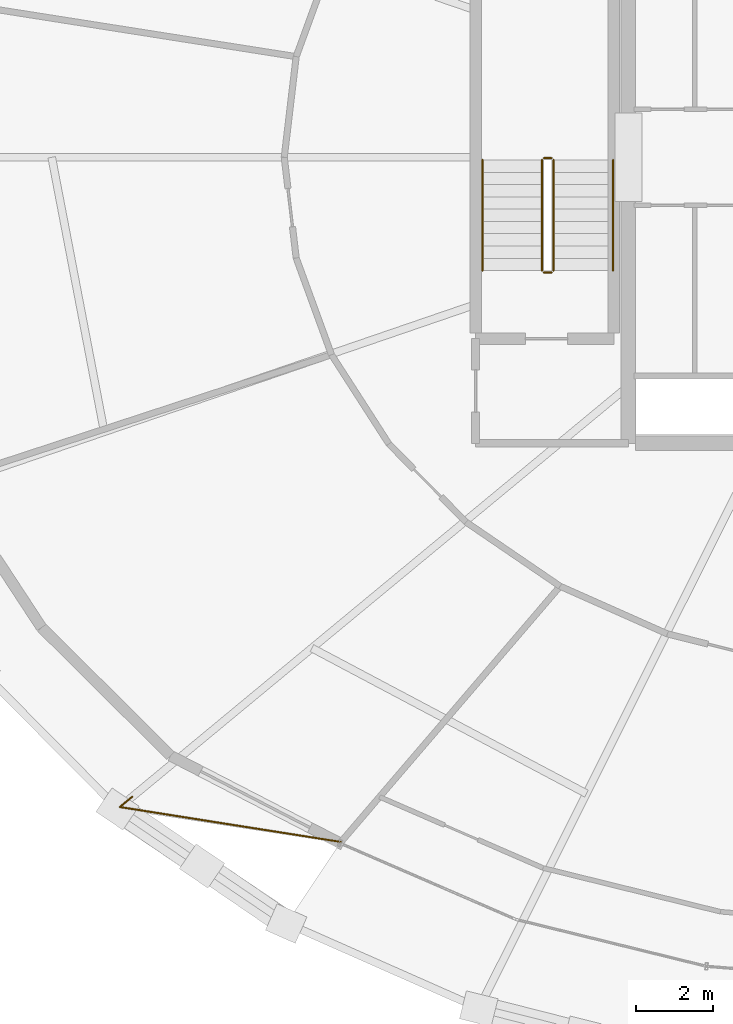
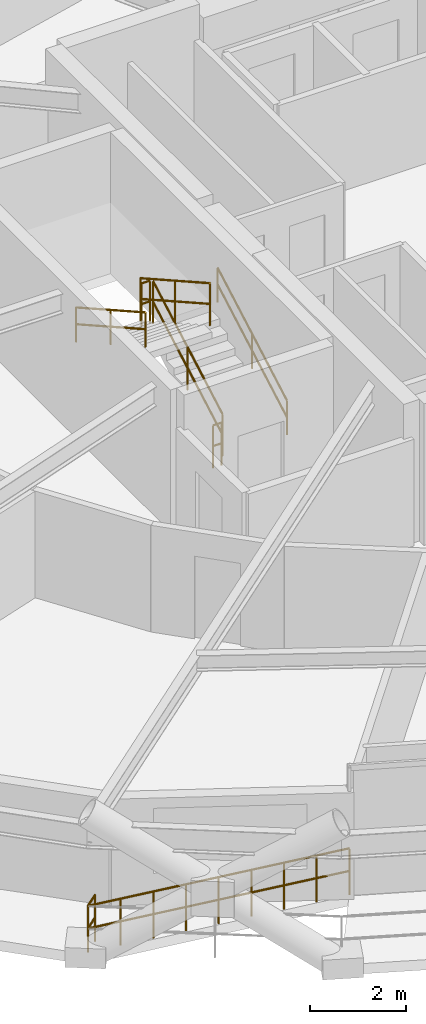
# One storey, part 20 of 22: 7 railings.
"""IFC4 building model written with IfcOpenShell, lengths in metres."""

from ifc_helpers import new_model, si_unit, direction, frame, origin, origin_2d, place, context, subcontext, project, spatial, circle, extrude, material, type_object, element, save


model = new_model("IFC4")

# Units and contexts
model_context = context("Model", 3, precision=1e-05, world=origin(), true_north=direction((0.0, 1.0)))
body_context = subcontext(model_context, "Body", "Model", "MODEL_VIEW")
ifc_project = project(units=[si_unit("LENGTHUNIT", "METRE"), si_unit("AREAUNIT", "SQUARE_METRE"), si_unit("VOLUMEUNIT", "CUBIC_METRE"), si_unit("PLANEANGLEUNIT", "RADIAN"), si_unit("MASSUNIT", "GRAM", prefix="KILO")], contexts=[model_context])

# Site, building, storey
site_placement = place(None, origin())
site = spatial("IfcSite", under=ifc_project, at=site_placement, CompositionType="ELEMENT")
building_placement = place(site_placement, origin())
building = spatial("IfcBuilding", under=site, at=building_placement, Name="Veldorina Hangang Commons", CompositionType="ELEMENT")
storey_placement = place(building_placement, frame((0.0, 0.0, 80.800048828125)))
storey = spatial("IfcBuildingStorey", under=building, at=storey_placement, Name="L20", CompositionType="ELEMENT", Elevation=80.800048828125)

# Railings
ifc_material_1 = material(Name="Glass Laminated Safety Balustrade", Category="glass")
railing_type_1 = type_object("IfcRailingType", Name="RL-BAL-LOGGIA", PredefinedType="BALUSTRADE", material=ifc_material_1)
railing_1_placement = place(storey_placement, frame((11.879150390625, 7.34814453125, 0.0)))
element("IfcRailing", 1, at=railing_1_placement, inside=storey, type_object=railing_type_1, Name="L20 sky-garden loggia end balustrade A", PredefinedType="BALUSTRADE", context=body_context, shape_type="SweptSolid", body=[
    extrude(circle(Radius=0.02392578125, at=origin_2d()), frame((0.0, 0.0, 1.17578125), z_axis=(-0.770502569176, -0.637436891694, 0.0), x_axis=(0.637436891694, -0.770502569176, 0.0)), (0.0, 0.0, 1.0), 0.420166015625),
    extrude(circle(Radius=0.02392578125, at=origin_2d()), frame((0.0, 0.0, 0.60009765625), z_axis=(-0.770502569176, -0.637436891694, 0.0), x_axis=(0.637436891694, -0.770502569176, 0.0)), (0.0, 0.0, 1.0), 0.420166015625),
    extrude(circle(Radius=0.02392578125, at=origin_2d()), frame((-0.32373046875, -0.267822265625, 1.17578125), z_axis=(0.987758211239, -0.155992679733, 0.0), x_axis=(0.155992679733, 0.987758211239, 0.0)), (0.0, 0.0, 1.0), 5.829833984375),
    extrude(circle(Radius=0.02392578125, at=origin_2d()), frame((-0.32373046875, -0.267822265625, 0.60009765625), z_axis=(0.987758211239, -0.155992679733, 0.0), x_axis=(0.155992679733, 0.987758211239, 0.0)), (0.0, 0.0, 1.0), 5.829833984375),
    extrude(circle(Radius=0.02099609375, at=origin_2d()), origin(), (0.0, 0.0, 1.0), 1.15185546875),
    extrude(circle(Radius=0.02099609375, at=origin_2d()), frame((-0.32373046875, -0.267822265625, 0.0)), (0.0, 0.0, 1.0), 1.15185546875),
    extrude(circle(Radius=0.02099609375, at=origin_2d()), frame((0.39599609375, -0.381591796875, 0.0)), (0.0, 0.0, 1.0), 1.15185546875),
    extrude(circle(Radius=0.02099609375, at=origin_2d()), frame((1.115966796875, -0.4951171875, 0.0)), (0.0, 0.0, 1.0), 1.15185546875),
    extrude(circle(Radius=0.02099609375, at=origin_2d()), frame((1.835693359375, -0.60888671875, 0.0)), (0.0, 0.0, 1.0), 1.15185546875),
    extrude(circle(Radius=0.02099609375, at=origin_2d()), frame((2.5556640625, -0.72265625, 0.0)), (0.0, 0.0, 1.0), 1.15185546875),
    extrude(circle(Radius=0.02099609375, at=origin_2d()), frame((3.275390625, -0.836181640625, 0.0)), (0.0, 0.0, 1.0), 1.15185546875),
    extrude(circle(Radius=0.02099609375, at=origin_2d()), frame((3.9951171875, -0.949951171875, 0.0)), (0.0, 0.0, 1.0), 1.15185546875),
    extrude(circle(Radius=0.02099609375, at=origin_2d()), frame((4.715087890625, -1.0634765625, 0.0)), (0.0, 0.0, 1.0), 1.15185546875),
    extrude(circle(Radius=0.02099609375, at=origin_2d()), frame((5.434814453125, -1.17724609375, 0.0)), (0.0, 0.0, 1.0), 1.15185546875),
])
ifc_material_2 = material(Name="Steel Painted Balustrade", Category="steel")
railing_type_2 = type_object("IfcRailingType", Name="RL-GRD-STAIR", PredefinedType="GUARDRAIL", material=ifc_material_2)
railing_2_placement = place(storey_placement, frame((22.85009765625, 21.050048828125, 0.179931640625)))
element("IfcRailing", 2, at=railing_2_placement, inside=storey, type_object=railing_type_2, Name="L20 ST-1 stair guard 1", PredefinedType="GUARDRAIL", context=body_context, shape_type="SweptSolid", body=[
    extrude(circle(Radius=0.02392578125, at=origin_2d()), frame((0.0, 0.0, 1.076171875), z_axis=(0.0, 0.87155185771, 0.490303333991), x_axis=(-1.0, 0.0, 0.0)), (0.0, 0.0, 1.0), 3.30419921875),
    extrude(circle(Radius=0.02392578125, at=origin_2d()), frame((0.0, 0.0, 0.550048828125), z_axis=(0.0, 0.87155185771, 0.490303333991), x_axis=(-1.0, 0.0, 0.0)), (0.0, 0.0, 1.0), 3.30419921875),
    extrude(circle(Radius=0.02099609375, at=origin_2d()), origin(), (0.0, 0.0, 1.0), 1.052001953125),
    extrude(circle(Radius=0.02099609375, at=origin_2d()), frame((0.0, 1.43994140625, 0.81005859375)), (0.0, 0.0, 1.0), 1.052001953125),
    extrude(circle(Radius=0.02099609375, at=origin_2d()), frame((0.0, 2.8798828125, 1.6201171875)), (0.0, 0.0, 1.0), 1.052001953125),
])
railing_3_placement = place(storey_placement, frame((22.800048828125, 23.97998046875, 1.800048828125)))
element("IfcRailing", 3, at=railing_3_placement, inside=storey, type_object=railing_type_2, Name="L20 ST-1 stair guard 2", PredefinedType="GUARDRAIL", context=body_context, shape_type="SweptSolid", body=[
    extrude(circle(Radius=0.02392578125, at=origin_2d()), frame((0.0, 0.0, 1.076171875), z_axis=(-1.0, 0.0, 0.0), x_axis=(0.0, -1.0, 0.0)), (0.0, 0.0, 1.0), 0.199951171875),
    extrude(circle(Radius=0.02392578125, at=origin_2d()), frame((0.0, 0.0, 0.550048828125), z_axis=(-1.0, 0.0, 0.0), x_axis=(0.0, -1.0, 0.0)), (0.0, 0.0, 1.0), 0.199951171875),
    extrude(circle(Radius=0.02099609375, at=origin_2d()), origin(), (0.0, 0.0, 1.0), 1.052001953125),
    extrude(circle(Radius=0.02099609375, at=origin_2d()), frame((-0.199951171875, 0.0, 0.0)), (0.0, 0.0, 1.0), 1.052001953125),
])
railing_4_placement = place(storey_placement, frame((22.550048828125, 23.929931640625, 1.97998046875)))
element("IfcRailing", 4, at=railing_4_placement, inside=storey, type_object=railing_type_2, Name="L20 ST-1 stair guard 3", PredefinedType="GUARDRAIL", context=body_context, shape_type="SweptSolid", body=[
    extrude(circle(Radius=0.02392578125, at=origin_2d()), frame((0.0, 0.0, 1.076171875), z_axis=(0.0, -0.871583430097, 0.490247207417), x_axis=(1.0, 0.0, 0.0)), (0.0, 0.0, 1.0), 3.30419921875),
    extrude(circle(Radius=0.02392578125, at=origin_2d()), frame((0.0, 0.0, 0.550048828125), z_axis=(0.0, -0.871583430097, 0.490247207417), x_axis=(1.0, 0.0, 0.0)), (0.0, 0.0, 1.0), 3.30419921875),
    extrude(circle(Radius=0.02099609375, at=origin_2d()), origin(), (0.0, 0.0, 1.0), 1.052001953125),
    extrude(circle(Radius=0.02099609375, at=origin_2d()), frame((0.0, -1.43994140625, 0.81005859375)), (0.0, 0.0, 1.0), 1.052001953125),
    extrude(circle(Radius=0.02099609375, at=origin_2d()), frame((0.0, -2.8798828125, 1.619873046875)), (0.0, 0.0, 1.0), 1.052001953125),
])
railing_5_placement = place(storey_placement, frame((22.800048828125, 21.0, 0.0)))
element("IfcRailing", 5, at=railing_5_placement, inside=storey, type_object=railing_type_2, Name="L20 ST-1 stair guard 4", PredefinedType="GUARDRAIL", context=body_context, shape_type="SweptSolid", body=[
    extrude(circle(Radius=0.02392578125, at=origin_2d()), frame((0.0, 0.0, 1.076171875), z_axis=(-1.0, 0.0, 0.0), x_axis=(0.0, -1.0, 0.0)), (0.0, 0.0, 1.0), 0.199951171875),
    extrude(circle(Radius=0.02392578125, at=origin_2d()), frame((0.0, 0.0, 0.550048828125), z_axis=(-1.0, 0.0, 0.0), x_axis=(0.0, -1.0, 0.0)), (0.0, 0.0, 1.0), 0.199951171875),
    extrude(circle(Radius=0.02099609375, at=origin_2d()), origin(), (0.0, 0.0, 1.0), 1.052001953125),
    extrude(circle(Radius=0.02099609375, at=origin_2d()), frame((-0.199951171875, 0.0, 0.0)), (0.0, 0.0, 1.0), 1.052001953125),
])
ifc_material_3 = material(Name="Stainless Steel Brushed 316", Category="steel")
railing_type_3 = type_object("IfcRailingType", Name="RL-HND-STAIR", PredefinedType="HANDRAIL", material=ifc_material_3)
railing_6_placement = place(storey_placement, frame((24.39990234375, 21.050048828125, 0.179931640625)))
element("IfcRailing", 6, at=railing_6_placement, inside=storey, type_object=railing_type_3, Name="L20 ST-1 stair handrail 1", PredefinedType="HANDRAIL", context=body_context, shape_type="SweptSolid", body=[
    extrude(circle(Radius=0.02392578125, at=origin_2d()), frame((0.0, 0.0, 0.8759765625), z_axis=(0.0, 0.87155185771, 0.490303333991), x_axis=(-1.0, 0.0, 0.0)), (0.0, 0.0, 1.0), 3.30419921875),
    extrude(circle(Radius=0.02392578125, at=origin_2d()), frame((0.0, 0.0, 0.449951171875), z_axis=(0.0, 0.87155185771, 0.490303333991), x_axis=(-1.0, 0.0, 0.0)), (0.0, 0.0, 1.0), 3.30419921875),
    extrude(circle(Radius=0.02099609375, at=origin_2d()), origin(), (0.0, 0.0, 1.0), 0.851806640625),
    extrude(circle(Radius=0.02099609375, at=origin_2d()), frame((0.0, 1.43994140625, 0.81005859375)), (0.0, 0.0, 1.0), 0.851806640625),
    extrude(circle(Radius=0.02099609375, at=origin_2d()), frame((0.0, 2.8798828125, 1.6201171875)), (0.0, 0.0, 1.0), 0.851806640625),
])
railing_7_placement = place(storey_placement, frame((21.0, 23.929931640625, 1.97998046875)))
element("IfcRailing", 7, at=railing_7_placement, inside=storey, type_object=railing_type_3, Name="L20 ST-1 stair handrail 2", PredefinedType="HANDRAIL", context=body_context, shape_type="SweptSolid", body=[
    extrude(circle(Radius=0.02392578125, at=origin_2d()), frame((0.0, 0.0, 0.8759765625), z_axis=(0.0, -0.871583430097, 0.490247207417), x_axis=(1.0, 0.0, 0.0)), (0.0, 0.0, 1.0), 3.30419921875),
    extrude(circle(Radius=0.02392578125, at=origin_2d()), frame((0.0, 0.0, 0.449951171875), z_axis=(0.0, -0.871583430097, 0.490247207417), x_axis=(1.0, 0.0, 0.0)), (0.0, 0.0, 1.0), 3.30419921875),
    extrude(circle(Radius=0.02099609375, at=origin_2d()), origin(), (0.0, 0.0, 1.0), 0.851806640625),
    extrude(circle(Radius=0.02099609375, at=origin_2d()), frame((0.0, -1.43994140625, 0.81005859375)), (0.0, 0.0, 1.0), 0.851806640625),
    extrude(circle(Radius=0.02099609375, at=origin_2d()), frame((0.0, -2.8798828125, 1.619873046875)), (0.0, 0.0, 1.0), 0.851806640625),
])

save(model, "model.ifc")
